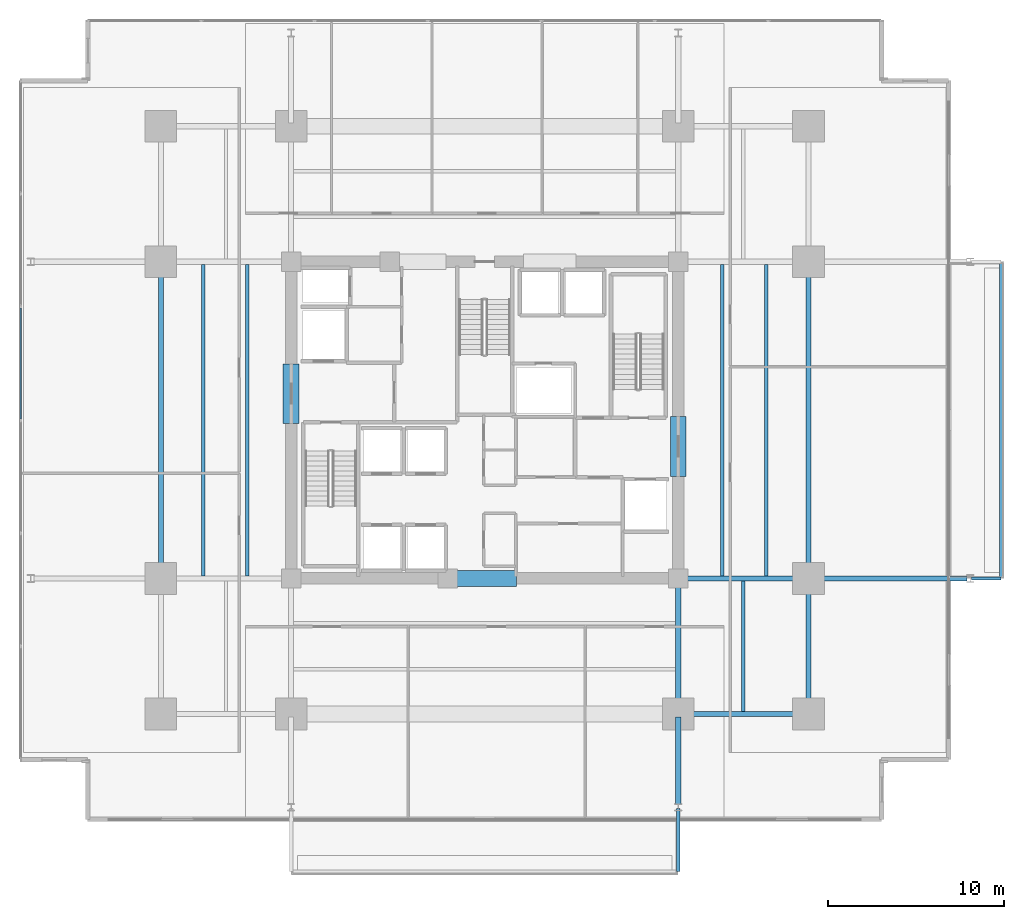
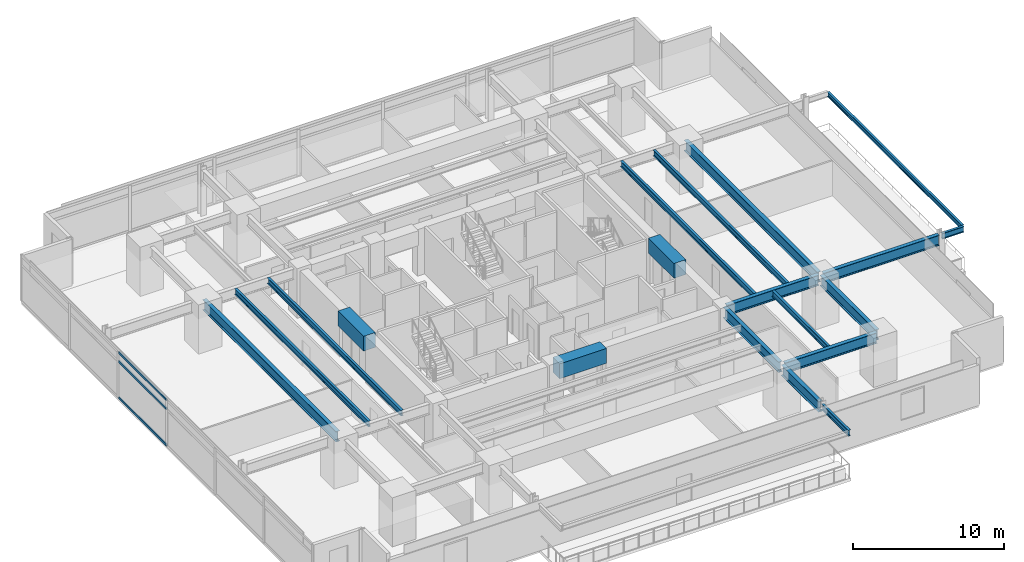
# One storey, part 5 of 23: 19 beams, 3 members, 1 element without a shape of its own.
"""IFC4 building model written with IfcOpenShell, lengths in metres."""

from ifc_helpers import new_model, si_unit, direction, frame, origin, origin_2d, place, context, subcontext, project, spatial, rectangle, hollow_rectangle, i_section, extrude, material, material_profile, profile_set, type_object, element, aggregate, save


model = new_model("IFC4")

# Units and contexts
model_context = context("Model", 3, precision=1e-05, world=origin(), true_north=direction((0.0, 1.0)))
body_context = subcontext(model_context, "Body", "Model", "MODEL_VIEW")
ifc_project = project(units=[si_unit("LENGTHUNIT", "METRE"), si_unit("AREAUNIT", "SQUARE_METRE"), si_unit("VOLUMEUNIT", "CUBIC_METRE"), si_unit("PLANEANGLEUNIT", "RADIAN"), si_unit("MASSUNIT", "GRAM", prefix="KILO")], contexts=[model_context])

# Site, building, storey
site_placement = place(None, origin())
site = spatial("IfcSite", under=ifc_project, at=site_placement, CompositionType="ELEMENT")
building_placement = place(site_placement, origin())
building = spatial("IfcBuilding", under=site, at=building_placement, Name="Kovane Verandah Tower", CompositionType="ELEMENT")
storey_placement = place(building_placement, frame((0.0, 0.0, 91.60009765625)))
storey = spatial("IfcBuildingStorey", under=building, at=storey_placement, Name="L21", CompositionType="ELEMENT", Elevation=91.60009765625)

# Beams
ifc_material_1 = material(Name="Concrete C80/95", Category="concrete")
ifc_material_profile_1 = material_profile(ifc_material_1, rectangle(XDim=0.89990234375, YDim=1.199951171875, at=origin_2d()), Name="RCB900x1200")
ifc_profile_set_1 = profile_set([ifc_material_profile_1], Name="Concrete C80/95")
beam_type_1 = type_object("IfcBeamType", Name="BM-LINTEL-900x1200", PredefinedType="LINTEL", material=ifc_profile_set_1)
beam_1_placement = place(storey_placement, frame((38.199951171875, 18.5, 3.159912109375), z_axis=(1.0, 0.0, 0.0), x_axis=(0.0, 1.0, 0.0)))
element("IfcBeam", 1, at=beam_1_placement, inside=storey, type_object=beam_type_1, Name="L21 Core Coupling Lintel CL-S", PredefinedType="LINTEL", context=body_context, shape_type="SweptSolid", body=[
    extrude(rectangle(XDim=0.89990234375, YDim=1.199951171875, at=origin_2d()), origin(), (0.0, 0.0, 1.0), 3.60009765625),
])
for number, where, z_axis, x_axis, name in (
    (2, (29.0, 27.300048828125, 3.159912109375), (0.0, 1.0, 0.0), (-1.0, 0.0, 0.0), "L21 Core Coupling Lintel CL-W"),
    (3, (51.0, 24.300048828125, 3.159912109375), (0.0, 1.0, 0.0), (-1.0, 0.0, 0.0), "L21 Core Coupling Lintel CL-E"),
):
    element("IfcBeam", number, at=place(storey_placement, frame(where, z_axis=z_axis, x_axis=x_axis)), inside=storey, type_object=beam_type_1, Name=name, PredefinedType="LINTEL", context=body_context, shape_type="SweptSolid", body=[
        extrude(rectangle(XDim=0.89990234375, YDim=1.199951171875, at=origin_2d()), origin(), (0.0, 0.0, 1.0), 3.39990234375),
    ])
ifc_material_2 = material(Name="Steel S355", Category="steel")
ifc_material_profile_2 = material_profile(ifc_material_2, i_section(OverallWidth=0.293701171875, OverallDepth=0.850830078125, WebThickness=0.01611328125, FlangeThickness=0.02685546875, FilletRadius=0.017822265625, at=origin_2d()), Name="UB838x292x226")
ifc_profile_set_2 = profile_set([ifc_material_profile_2], Name="Steel S355")
beam_type_2 = type_object("IfcBeamType", Name="BM-UB838x226", PredefinedType="BEAM", material=ifc_profile_set_2)
beam_2_placement = place(storey_placement, frame((51.179931640625, 10.800048828125, 3.33447265625), z_axis=(1.0, 0.0, 0.0), x_axis=(0.0, 1.0, 0.0)))
element("IfcBeam", 4, at=beam_2_placement, inside=storey, type_object=beam_type_2, Name="L21 Primary Tower Girder G-RS3", PredefinedType="BEAM", context=body_context, shape_type="SweptSolid", body=[
    extrude(i_section(OverallWidth=0.293701171875, OverallDepth=0.850830078125, WebThickness=0.01611328125, FlangeThickness=0.02685546875, FilletRadius=0.017822265625, at=origin_2d()), origin(), (0.0, 0.0, 1.0), 7.0400390625),
])
beam_3_placement = place(storey_placement, frame((21.60009765625, 18.679931640625, 3.33447265625), z_axis=(0.0, 1.0, 0.0), x_axis=(-1.0, 0.0, 0.0)))
element("IfcBeam", 5, at=beam_3_placement, inside=storey, type_object=beam_type_2, Name="L21 Primary Tower Girder G-RW2", PredefinedType="BEAM", context=body_context, shape_type="SweptSolid", body=[
    extrude(i_section(OverallWidth=0.293701171875, OverallDepth=0.850830078125, WebThickness=0.01611328125, FlangeThickness=0.02685546875, FilletRadius=0.017822265625, at=origin_2d()), origin(), (0.0, 0.0, 1.0), 17.64013671875),
])
beam_4_placement = place(storey_placement, frame((58.39990234375, 10.97998046875, 3.33447265625), z_axis=(0.0, 1.0, 0.0), x_axis=(-1.0, 0.0, 0.0)))
element("IfcBeam", 6, at=beam_4_placement, inside=storey, type_object=beam_type_2, Name="L21 Primary Tower Girder G-RE1", PredefinedType="BEAM", context=body_context, shape_type="SweptSolid", body=[
    extrude(i_section(OverallWidth=0.293701171875, OverallDepth=0.850830078125, WebThickness=0.01611328125, FlangeThickness=0.02685546875, FilletRadius=0.017822265625, at=origin_2d()), origin(), (0.0, 0.0, 1.0), 7.340087890625),
])
beam_5_placement = place(storey_placement, frame((58.39990234375, 18.679931640625, 3.33447265625), z_axis=(0.0, 1.0, 0.0), x_axis=(-1.0, 0.0, 0.0)))
element("IfcBeam", 7, at=beam_5_placement, inside=storey, type_object=beam_type_2, Name="L21 Primary Tower Girder G-RE2", PredefinedType="BEAM", context=body_context, shape_type="SweptSolid", body=[
    extrude(i_section(OverallWidth=0.293701171875, OverallDepth=0.850830078125, WebThickness=0.01611328125, FlangeThickness=0.02685546875, FilletRadius=0.017822265625, at=origin_2d()), origin(), (0.0, 0.0, 1.0), 17.64013671875),
])
beam_6_placement = place(storey_placement, frame((51.179931640625, 18.5, 3.33447265625), z_axis=(1.0, 0.0, 0.0), x_axis=(0.0, 1.0, 0.0)))
element("IfcBeam", 8, at=beam_6_placement, inside=storey, type_object=beam_type_2, Name="L21 Primary Tower Girder G-E1", PredefinedType="BEAM", context=body_context, shape_type="SweptSolid", body=[
    extrude(i_section(OverallWidth=0.293701171875, OverallDepth=0.850830078125, WebThickness=0.01611328125, FlangeThickness=0.02685546875, FilletRadius=0.017822265625, at=origin_2d()), origin(), (0.0, 0.0, 1.0), 7.0400390625),
])
beam_7_placement = place(storey_placement, frame((51.0, 18.320068359375, 3.33447265625), z_axis=(0.0, -1.0, 0.0), x_axis=(1.0, 0.0, 0.0)))
element("IfcBeam", 9, at=beam_7_placement, inside=storey, type_object=beam_type_2, Name="L21 Primary Tower Girder G-S2", PredefinedType="BEAM", context=body_context, shape_type="SweptSolid", body=[
    extrude(i_section(OverallWidth=0.293701171875, OverallDepth=0.850830078125, WebThickness=0.01611328125, FlangeThickness=0.02685546875, FilletRadius=0.017822265625, at=origin_2d()), origin(), (0.0, 0.0, 1.0), 7.340087890625),
])
beam_8_placement = place(storey_placement, frame((58.580078125, 18.5, 3.33447265625), z_axis=(1.0, 0.0, 0.0), x_axis=(0.0, 1.0, 0.0)))
element("IfcBeam", 10, at=beam_8_placement, inside=storey, type_object=beam_type_2, Name="L21 Primary Tower Girder G-VE1", PredefinedType="BEAM", context=body_context, shape_type="SweptSolid", body=[
    extrude(i_section(OverallWidth=0.293701171875, OverallDepth=0.850830078125, WebThickness=0.01611328125, FlangeThickness=0.02685546875, FilletRadius=0.017822265625, at=origin_2d()), origin(), (0.0, 0.0, 1.0), 8.83984375),
])
beam_9_placement = place(storey_placement, frame((51.0, 10.6201171875, 3.33447265625), z_axis=(0.0, -1.0, 0.0), x_axis=(1.0, 0.0, 0.0)))
element("IfcBeam", 11, at=beam_9_placement, inside=storey, type_object=beam_type_2, Name="L21 Primary Tower Girder G-VS2", PredefinedType="BEAM", context=body_context, shape_type="SweptSolid", body=[
    extrude(i_section(OverallWidth=0.293701171875, OverallDepth=0.850830078125, WebThickness=0.01611328125, FlangeThickness=0.02685546875, FilletRadius=0.017822265625, at=origin_2d()), origin(), (0.0, 0.0, 1.0), 4.940185546875),
])

# Curtain wall, members
ifc_material_3 = material(Name="Champagne Anodised Aluminium Frame with Low-E Clear Laminated Glass", Category="aluminium")
curtain_wall_type = type_object("IfcCurtainWallType", Name="CW-SYS-02-LOW", PredefinedType="NOTDEFINED", material=ifc_material_3)
curtain_wall_placement = place(storey_placement, origin())
curtain_wall = element("IfcCurtainWall", 12, at=curtain_wall_placement, inside=storey, type_object=curtain_wall_type, Name="L21 W Unitised Curtain Wall", PredefinedType="NOTDEFINED")
ifc_material_4 = material(Name="Champagne Anodised Aluminium 6063-T6", Category="aluminium")
ifc_material_profile_3 = material_profile(ifc_material_4, hollow_rectangle(XDim=0.0849609375, YDim=0.18994140625, WallThickness=0.00390625, at=origin_2d()), Name="AL85x190x4")
ifc_profile_set_3 = profile_set([ifc_material_profile_3], Name="Champagne Anodised Aluminium 6063-T6")
member_type = type_object("IfcMemberType", Name="CW-TRN-85x190", PredefinedType="USERDEFINED", material=ifc_profile_set_3)
member_1_placement = place(storey_placement, frame((13.635986328125, 33.881591796875, 0.0498046875), z_axis=(0.0, -1.0, 0.0), x_axis=(1.0, 0.0, 0.0)))
member_1 = element("IfcMember", 13, at=member_1_placement, type_object=member_type, Name="L21 W Unitised Curtain Wall Transom TB Bay 3", ObjectType="TRANSOM", PredefinedType="USERDEFINED", context=body_context, shape_type="SweptSolid", body=[
    extrude(hollow_rectangle(XDim=0.0849609375, YDim=0.18994140625, WallThickness=0.00390625, at=origin_2d()), origin(), (0.0, 0.0, 1.0), 6.33154296875),
])
member_2_placement = place(storey_placement, frame((13.635986328125, 33.881591796875, 2.97998046875), z_axis=(0.0, -1.0, 0.0), x_axis=(1.0, 0.0, 0.0)))
member_2 = element("IfcMember", 14, at=member_2_placement, type_object=member_type, Name="L21 W Unitised Curtain Wall Transom TM Bay 3", ObjectType="TRANSOM", PredefinedType="USERDEFINED", context=body_context, shape_type="SweptSolid", body=[
    extrude(hollow_rectangle(XDim=0.0849609375, YDim=0.18994140625, WallThickness=0.00390625, at=origin_2d()), origin(), (0.0, 0.0, 1.0), 6.33154296875),
])
member_3_placement = place(storey_placement, frame((13.635986328125, 33.881591796875, 3.7099609375), z_axis=(0.0, -1.0, 0.0), x_axis=(1.0, 0.0, 0.0)))
member_3 = element("IfcMember", 15, at=member_3_placement, type_object=member_type, Name="L21 W Unitised Curtain Wall Transom TT Bay 3", ObjectType="TRANSOM", PredefinedType="USERDEFINED", context=body_context, shape_type="SweptSolid", body=[
    extrude(hollow_rectangle(XDim=0.0849609375, YDim=0.18994140625, WallThickness=0.00390625, at=origin_2d()), origin(), (0.0, 0.0, 1.0), 6.33154296875),
])
aggregate(curtain_wall, [member_1, member_2, member_3])

# Beams
ifc_material_profile_4 = material_profile(ifc_material_2, i_section(OverallWidth=0.19287109375, OverallDepth=0.46728515625, WebThickness=0.011474609375, FlangeThickness=0.01953125, FilletRadius=0.01025390625, at=origin_2d()), Name="UB457x191x98")
ifc_profile_set_4 = profile_set([ifc_material_profile_4], Name="Steel S355")
beam_type_3 = type_object("IfcBeamType", Name="JST-UB457x98", PredefinedType="JOIST", material=ifc_profile_set_4)
for number, where, z_axis, x_axis, name in (
    (16, (24.0, 18.64501953125, 3.5263671875), (0.0, 1.0, 0.0), (-1.0, 0.0, 0.0), "L21 Secondary Composite Joist J-W1"),
    (17, (26.5, 18.64501953125, 3.5263671875), (0.0, 1.0, 0.0), (-1.0, 0.0, 0.0), "L21 Secondary Composite Joist J-W2"),
    (18, (53.5, 18.64501953125, 3.5263671875), (0.0, 1.0, 0.0), (-1.0, 0.0, 0.0), "L21 Secondary Composite Joist J-E1"),
    (19, (56.0, 18.64501953125, 3.5263671875), (0.0, 1.0, 0.0), (-1.0, 0.0, 0.0), "L21 Secondary Composite Joist J-E2"),
):
    element("IfcBeam", number, at=place(storey_placement, frame(where, z_axis=z_axis, x_axis=x_axis)), inside=storey, type_object=beam_type_3, Name=name, PredefinedType="JOIST", context=body_context, shape_type="SweptSolid", body=[
        extrude(i_section(OverallWidth=0.19287109375, OverallDepth=0.46728515625, WebThickness=0.011474609375, FlangeThickness=0.01953125, FilletRadius=0.01025390625, at=origin_2d()), origin(), (0.0, 0.0, 1.0), 17.7099609375),
    ])
beam_10_placement = place(storey_placement, frame((54.699951171875, 10.94482421875, 3.5263671875), z_axis=(0.0, 1.0, 0.0), x_axis=(-1.0, 0.0, 0.0)))
element("IfcBeam", 20, at=beam_10_placement, inside=storey, type_object=beam_type_3, Name="L21 Secondary Composite Joist J-SE1", PredefinedType="JOIST", context=body_context, shape_type="SweptSolid", body=[
    extrude(i_section(OverallWidth=0.19287109375, OverallDepth=0.46728515625, WebThickness=0.011474609375, FlangeThickness=0.01953125, FilletRadius=0.01025390625, at=origin_2d()), origin(), (0.0, 0.0, 1.0), 7.41015625),
])
beam_11_placement = place(storey_placement, frame((51.0, 5.419921875, 3.5263671875), z_axis=(0.0, -1.0, 0.0), x_axis=(1.0, 0.0, 0.0)))
element("IfcBeam", 21, at=beam_11_placement, inside=storey, type_object=beam_type_3, Name="L21 South Planter Girder 2", PredefinedType="JOIST", context=body_context, shape_type="SweptSolid", body=[
    extrude(i_section(OverallWidth=0.19287109375, OverallDepth=0.46728515625, WebThickness=0.011474609375, FlangeThickness=0.01953125, FilletRadius=0.01025390625, at=origin_2d()), origin(), (0.0, 0.0, 1.0), 3.580810546875),
])
beam_12_placement = place(storey_placement, frame((67.679931640625, 18.5, 3.5263671875), z_axis=(1.0, 0.0, 0.0), x_axis=(0.0, 1.0, 0.0)))
element("IfcBeam", 22, at=beam_12_placement, inside=storey, type_object=beam_type_3, Name="L21 East Planter Girder 1", PredefinedType="JOIST", context=body_context, shape_type="SweptSolid", body=[
    extrude(i_section(OverallWidth=0.19287109375, OverallDepth=0.46728515625, WebThickness=0.011474609375, FlangeThickness=0.01953125, FilletRadius=0.01025390625, at=origin_2d()), origin(), (0.0, 0.0, 1.0), 1.656982421875),
])
ifc_material_profile_5 = material_profile(ifc_material_2, i_section(OverallWidth=0.173095703125, OverallDepth=0.36328125, WebThickness=0.009033203125, FlangeThickness=0.015625, FilletRadius=0.01025390625, at=origin_2d()), Name="UB356x171x67")
ifc_profile_set_5 = profile_set([ifc_material_profile_5], Name="Steel S355")
beam_type_4 = type_object("IfcBeamType", Name="SPD-UB356x67", PredefinedType="USERDEFINED", material=ifc_profile_set_5)
beam_13_placement = place(storey_placement, frame((69.3369140625, 18.594482421875, 3.578125), z_axis=(0.0, 1.0, 0.0), x_axis=(-1.0, 0.0, 0.0)))
element("IfcBeam", 23, at=beam_13_placement, inside=storey, type_object=beam_type_4, Name="L21 East Planter Edge Spandrel", ObjectType="SPANDREL", PredefinedType="USERDEFINED", context=body_context, shape_type="SweptSolid", body=[
    extrude(i_section(OverallWidth=0.173095703125, OverallDepth=0.36328125, WebThickness=0.009033203125, FlangeThickness=0.015625, FilletRadius=0.01025390625, at=origin_2d()), origin(), (0.0, 0.0, 1.0), 17.81103515625),
])

save(model, "model.ifc")
